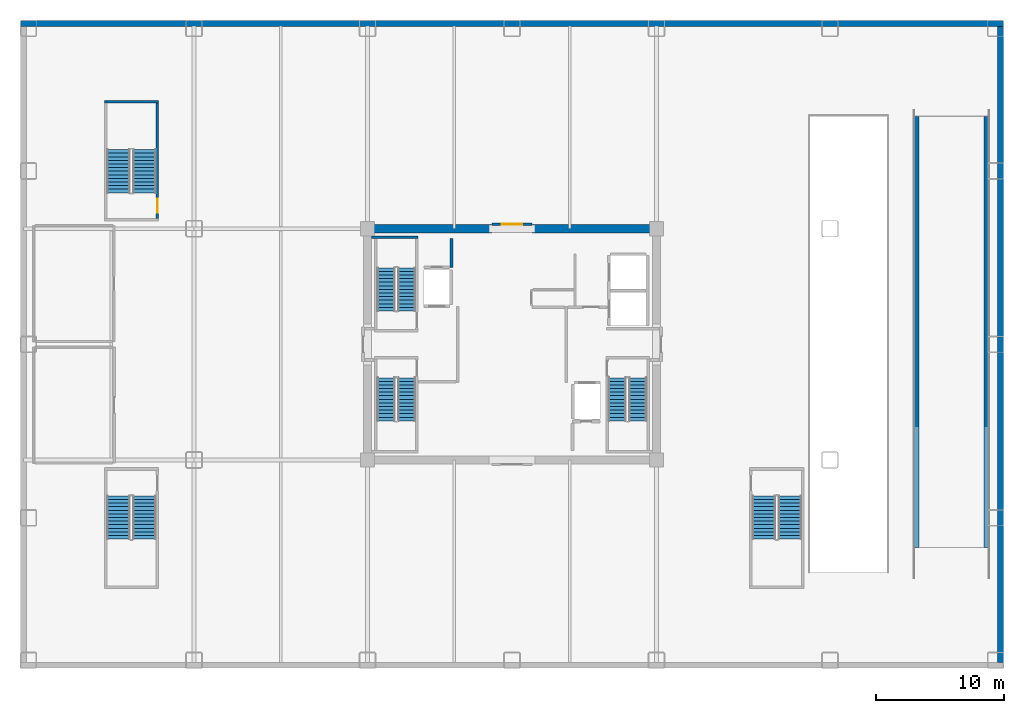
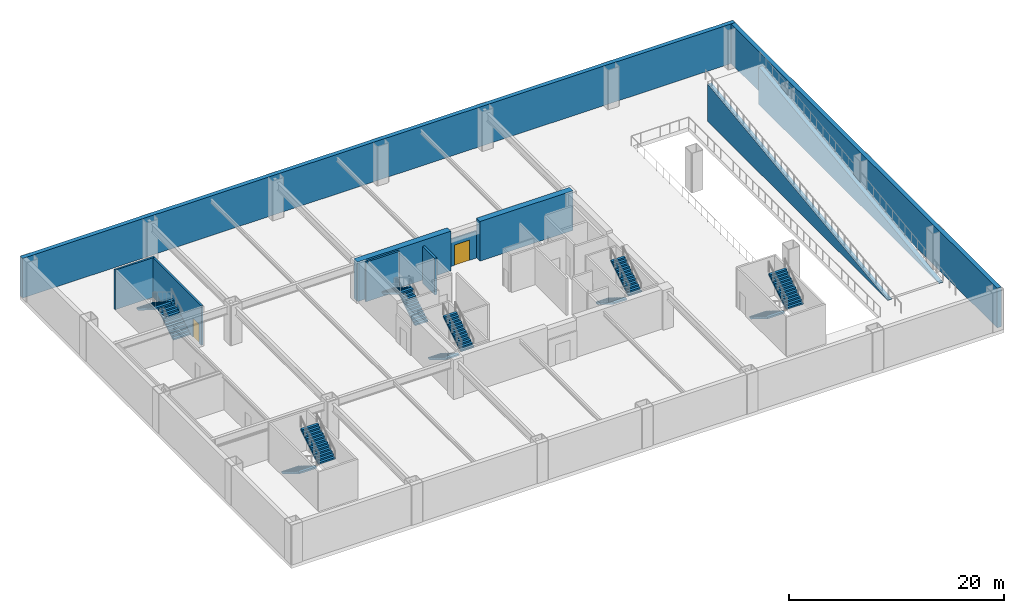
# One storey, part 5 of 9: 12 stair flights, 11 walls, 2 doors, 2 openings, 6 elements without a shape of their own.
"""IFC4 building model written with IfcOpenShell, lengths in metres."""

from ifc_helpers import new_model, si_unit, direction, frame, frame_2d, origin, place, context, subcontext, project, spatial, polyline, rectangle, outline, extrude, source, transform, mapped, material, layer, layer_set, type_object, element, fill, aggregate, save


model = new_model("IFC4")

# Units and contexts
model_context = context("Model", 3, precision=1e-05, world=origin(), true_north=direction((0.0, 1.0)))
body_context = subcontext(model_context, "Body", "Model", "MODEL_VIEW")
ifc_project = project(units=[si_unit("LENGTHUNIT", "METRE"), si_unit("AREAUNIT", "SQUARE_METRE"), si_unit("VOLUMEUNIT", "CUBIC_METRE"), si_unit("PLANEANGLEUNIT", "RADIAN"), si_unit("MASSUNIT", "GRAM", prefix="KILO")], contexts=[model_context])

# Site, building, storey
site_placement = place(None, origin())
site = spatial("IfcSite", under=ifc_project, at=site_placement, CompositionType="ELEMENT")
building_placement = place(site_placement, origin())
building = spatial("IfcBuilding", under=site, at=building_placement, Name="Nefas-Gora Pilgrimage Tower", CompositionType="ELEMENT")
storey_placement = place(building_placement, frame((0.0, 0.0, -4.5)))
storey = spatial("IfcBuildingStorey", under=building, at=storey_placement, Name="B01", CompositionType="ELEMENT", Elevation=-4.5)

# Walls
ifc_material_1 = material(Name="Concrete C45/55", Category="concrete")
ifc_layer_1 = layer(ifc_material_1, 0.449951171875)
ifc_layer_set_1 = layer_set([ifc_layer_1], Name="Concrete C45/55")
wall_type_1 = type_object("IfcWallType", Name="SW-RAMP-450", PredefinedType="SOLIDWALL", material=ifc_layer_set_1)
for number, where, z_axis, x_axis, name in (
    (1, (31.449951171875, -15.800048828125, 0.0), (0.0, 0.0, 1.0), (0.0, 1.0, 0.0), "B01-L00 Vehicle Ramp Support Cheek Wall W"),
    (2, (36.949951171875, -15.800048828125, 0.0), (0.0, 0.0, 1.0), (0.0, 1.0, 0.0), "B01-L00 Vehicle Ramp Support Cheek Wall E"),
):
    element("IfcWall", number, at=place(storey_placement, frame(where, z_axis=z_axis, x_axis=x_axis)), inside=storey, type_object=wall_type_1, Name=name, PredefinedType="SOLIDWALL", context=body_context, shape_type="SweptSolid", body=[
        extrude(outline(polyline([(0.0, 0.0), (33.530029296875, 0.0), (33.530029296875, 4.25), (0.0, 0.02001953125), (0.0, 0.0)])), frame((0.0, 0.22509765625, 0.0), z_axis=(0.0, -1.0, 0.0), x_axis=(1.0, 0.0, 0.0)), (0.0, 0.0, 1.0), 0.449951171875),
    ])
ifc_material_2 = material(Name="Concrete C60/75", Category="concrete")
ifc_layer_2 = layer(ifc_material_2, 0.64990234375)
ifc_layer_set_2 = layer_set([ifc_layer_2], Name="Concrete C60/75")
wall_type_2 = type_object("IfcWallType", Name="SW-CORE-650", PredefinedType="SHEAR", material=ifc_layer_set_2)
shared_shape_1 = source(origin(), body_context, "Body", "SweptSolid", [
    extrude(rectangle(XDim=10.02490234375, YDim=0.64990234375, at=frame_2d((5.012451171875, 0.0))), origin(), (0.0, 0.0, 1.0), 4.5),
])
for number, where, z_axis, x_axis, name in (
    (3, (-11.574951171875, 9.0, 0.0), (0.0, 0.0, 1.0), (1.0, 0.0, 0.0), "B01 Core Shear Wall N-West"),
    (4, (1.550048828125, 9.0, 0.0), (0.0, 0.0, 1.0), (1.0, 0.0, 0.0), "B01 Core Shear Wall N-East"),
):
    element("IfcWall", number, at=place(storey_placement, frame(where, z_axis=z_axis, x_axis=x_axis)), inside=storey, type_object=wall_type_2, Name=name, PredefinedType="SHEAR", context=body_context, shape_type="MappedRepresentation", body=[
        mapped(shared_shape_1, transform((0.0, 0.0, 0.0), x_axis=(1.0, 0.0, 0.0), y_axis=(0.0, 1.0, 0.0), z_axis=(0.0, 0.0, 1.0), scale=1.0)),
    ])
ifc_material_3 = material(Name="Concrete C50/60", Category="concrete")
ifc_layer_3 = layer(ifc_material_3, 0.449951171875)
ifc_layer_set_3 = layer_set([ifc_layer_3], Name="Concrete C50/60")
wall_type_3 = type_object("IfcWallType", Name="RW-BSMT-450", PredefinedType="SOLIDWALL", material=ifc_layer_set_3)
shared_shape_2 = source(origin(), body_context, "Body", "SweptSolid", [
    extrude(rectangle(XDim=76.5, YDim=0.449951171875, at=frame_2d((38.25, 0.0))), origin(), (0.0, 0.0, 1.0), 4.5),
])
wall_1_placement = place(storey_placement, frame((-38.25, 24.97509765625, 0.0), z_axis=(0.0, 0.0, 1.0), x_axis=(1.0, 0.0, 0.0)))
element("IfcWall", 5, at=wall_1_placement, inside=storey, type_object=wall_type_3, Name="B01 North Retaining Wall", PredefinedType="SOLIDWALL", context=body_context, shape_type="MappedRepresentation", body=[
    mapped(shared_shape_2, transform((0.0, 0.0, 0.0), x_axis=(1.0, 0.0, 0.0), y_axis=(0.0, 1.0, 0.0), z_axis=(0.0, 0.0, 1.0), scale=1.0)),
])
shared_shape_3 = source(origin(), body_context, "Body", "SweptSolid", [
    extrude(rectangle(XDim=49.5, YDim=0.449951171875, at=frame_2d((24.75, 0.0))), origin(), (0.0, 0.0, 1.0), 4.5),
])
wall_2_placement = place(storey_placement, frame((38.02490234375, -24.75, 0.0), z_axis=(0.0, 0.0, 1.0), x_axis=(0.0, 1.0, 0.0)))
element("IfcWall", 6, at=wall_2_placement, inside=storey, type_object=wall_type_3, Name="B01 East Retaining Wall", PredefinedType="SOLIDWALL", context=body_context, shape_type="MappedRepresentation", body=[
    mapped(shared_shape_3, transform((0.0, 0.0, 0.0), x_axis=(1.0, 0.0, 0.0), y_axis=(0.0, 1.0, 0.0), z_axis=(0.0, 0.0, 1.0), scale=1.0)),
])
ifc_layer_4 = layer(ifc_material_1, 0.199951171875)
ifc_layer_set_4 = layer_set([ifc_layer_4], Name="Concrete C45/55")
wall_type_4 = type_object("IfcWallType", Name="IW-STAIR-200", PredefinedType="SOLIDWALL", material=ifc_layer_set_4)
shared_shape_4 = source(origin(), body_context, "Body", "SweptSolid", [
    extrude(rectangle(XDim=3.6298828125, YDim=0.199951171875, at=frame_2d((1.81494140625, 0.0))), origin(), (0.0, 0.0, 1.0), 4.5),
])
wall_3_placement = place(storey_placement, frame((-7.300048828125, 8.35009765625, 0.0), z_axis=(0.0, 0.0, 1.0), x_axis=(-1.0, 0.0, 0.0)))
element("IfcWall", 7, at=wall_3_placement, inside=storey, type_object=wall_type_4, Name="B01 Stairwell Shear Wall ST-01-far", PredefinedType="SOLIDWALL", context=body_context, shape_type="MappedRepresentation", body=[
    mapped(shared_shape_4, transform((0.0, 0.0, 0.0), x_axis=(1.0, 0.0, 0.0), y_axis=(0.0, 1.0, 0.0), z_axis=(0.0, 0.0, 1.0), scale=1.0)),
])
shared_shape_5 = source(origin(), body_context, "Body", "SweptSolid", [
    extrude(rectangle(XDim=4.239990234375, YDim=0.199951171875, at=frame_2d((2.1201171875, 0.0))), origin(), (0.0, 0.0, 1.0), 4.5),
])
wall_4_placement = place(storey_placement, frame((-27.5, 18.89990234375, 0.0), z_axis=(0.0, 0.0, 1.0), x_axis=(-1.0, 0.0, 0.0)))
element("IfcWall", 8, at=wall_4_placement, inside=storey, type_object=wall_type_4, Name="B01 Stairwell Shear Wall ST-04-far", PredefinedType="SOLIDWALL", context=body_context, shape_type="MappedRepresentation", body=[
    mapped(shared_shape_5, transform((0.0, 0.0, 0.0), x_axis=(1.0, 0.0, 0.0), y_axis=(0.0, 1.0, 0.0), z_axis=(0.0, 0.0, 1.0), scale=1.0)),
])

# Wall, opening, door
shared_shape_6 = source(origin(), body_context, "Body", "SweptSolid", [
    extrude(rectangle(XDim=9.0, YDim=0.199951171875, at=frame_2d((4.5, 0.0))), origin(), (0.0, 0.0, 1.0), 4.5),
])
wall_5_placement = place(storey_placement, frame((-27.60009765625, 9.800048828125, 0.0), z_axis=(0.0, 0.0, 1.0), x_axis=(0.0, 1.0, 0.0)))
wall_5 = element("IfcWall", 9, at=wall_5_placement, inside=storey, type_object=wall_type_4, Name="B01 Stairwell Shear Wall ST-04-left", PredefinedType="SOLIDWALL", context=body_context, shape_type="MappedRepresentation", body=[
    mapped(shared_shape_6, transform((0.0, 0.0, 0.0), x_axis=(1.0, 0.0, 0.0), y_axis=(0.0, 1.0, 0.0), z_axis=(0.0, 0.0, 1.0), scale=1.0)),
])
opening_1_placement = place(wall_5_placement, frame((0.449951171875, 0.0, 0.0)))
opening_1 = element("IfcOpeningElement", 10, at=opening_1_placement, cuts=wall_5, Name="Opening ID-ST1", PredefinedType="OPENING", context=body_context, shape_type="SweptSolid", body=[
    extrude(rectangle(XDim=1.10009765625, YDim=2.14990234375, at=frame_2d((0.550048828125, 1.074951171875))), frame((0.0, 0.10986328125, 0.0), z_axis=(0.0, -1.0, 0.0), x_axis=(1.0, 0.0, 0.0)), (0.0, 0.0, 1.0), 0.219970703125),
])
ifc_material_4 = material(Name="Painted galvanised steel fire stair door", Category="steel")
door_type_1 = type_object("IfcDoorType", Name="DR-INT-STAIR-1100", OperationType="NOTDEFINED", PredefinedType="DOOR", material=ifc_material_4)
shared_shape_7 = source(origin(), body_context, "Body", "SweptSolid", [
    extrude(rectangle(XDim=1.10009765625, YDim=2.14990234375, at=frame_2d((0.550048828125, 1.074951171875))), frame((0.0, 0.02490234375, 0.0), z_axis=(0.0, -1.0, 0.0), x_axis=(1.0, 0.0, 0.0)), (0.0, 0.0, 1.0), 0.050048828125),
])
door_1_placement = place(opening_1_placement, origin())
door_1 = element("IfcDoor", 11, at=door_1_placement, inside=storey, type_object=door_type_1, Name="B01 Protected Exit Stair Door ST-04", OperationType="SINGLE_SWING_LEFT", OverallHeight=2.14990234375, OverallWidth=1.10009765625, PredefinedType="DOOR", context=body_context, shape_type="MappedRepresentation", body=[
    mapped(shared_shape_7, transform((0.0, 0.0, 0.0), x_axis=(1.0, 0.0, 0.0), y_axis=(0.0, 1.0, 0.0), z_axis=(0.0, 0.0, 1.0), scale=1.0)),
])
fill(opening_1, door_1)

# Wall
ifc_material_5 = material(Name="Concrete C40/50", Category="concrete")
ifc_layer_5 = layer(ifc_material_5, 0.219970703125)
ifc_layer_set_5 = layer_set([ifc_layer_5], Name="Concrete C40/50")
wall_type_5 = type_object("IfcWallType", Name="IW-SHAFT-220", PredefinedType="SOLIDWALL", material=ifc_layer_set_5)
shared_shape_8 = source(origin(), body_context, "Body", "SweptSolid", [
    extrude(rectangle(XDim=2.25, YDim=0.219970703125, at=frame_2d((1.125, 0.0))), origin(), (0.0, 0.0, 1.0), 4.18505859375),
])
wall_6_placement = place(storey_placement, frame((-4.719970703125, 6.0, 0.0), z_axis=(0.0, 0.0, 1.0), x_axis=(0.0, 1.0, 0.0)))
element("IfcWall", 12, at=wall_6_placement, inside=storey, type_object=wall_type_5, Name="B01 Riser Shaft Wall 1", PredefinedType="SOLIDWALL", context=body_context, shape_type="MappedRepresentation", body=[
    mapped(shared_shape_8, transform((0.0, 0.0, 0.0), x_axis=(1.0, 0.0, 0.0), y_axis=(0.0, 1.0, 0.0), z_axis=(0.0, 0.0, 1.0), scale=1.0)),
])

# Wall, opening, door
ifc_material_6 = material(Name="Gypsum acoustic stud partition")
ifc_layer_6 = layer(ifc_material_6, 0.159912109375)
ifc_layer_set_6 = layer_set([ifc_layer_6], Name="Gypsum acoustic stud partition")
wall_type_6 = type_object("IfcWallType", Name="IW-CORR-160", PredefinedType="PARTITIONING", material=ifc_layer_set_6)
shared_shape_9 = source(origin(), body_context, "Body", "SweptSolid", [
    extrude(rectangle(XDim=3.08984375, YDim=0.159912109375, at=frame_2d((1.544921875, 0.0))), origin(), (0.0, 0.0, 1.0), 3.074951171875),
])
wall_7_placement = place(storey_placement, frame((-1.544921875, 9.35009765625, 0.0), z_axis=(0.0, 0.0, 1.0), x_axis=(1.0, 0.0, 0.0)))
wall_7 = element("IfcWall", 13, at=wall_7_placement, inside=storey, type_object=wall_type_6, Name="B01 Central Lift Lobby North Portal Wall 16", PredefinedType="PARTITIONING", context=body_context, shape_type="MappedRepresentation", body=[
    mapped(shared_shape_9, transform((0.0, 0.0, 0.0), x_axis=(1.0, 0.0, 0.0), y_axis=(0.0, 1.0, 0.0), z_axis=(0.0, 0.0, 1.0), scale=1.0)),
])
opening_2_placement = place(wall_7_placement, frame((0.7451171875, 0.0, 0.0)))
opening_2 = element("IfcOpeningElement", 14, at=opening_2_placement, cuts=wall_7, Name="Opening ID-HL1", PredefinedType="OPENING", context=body_context, shape_type="SweptSolid", body=[
    extrude(rectangle(XDim=1.60009765625, YDim=2.300048828125, at=frame_2d((0.800048828125, 1.14990234375))), frame((0.0, 0.08984375, 0.0), z_axis=(0.0, -1.0, 0.0), x_axis=(1.0, 0.0, 0.0)), (0.0, 0.0, 1.0), 0.179931640625),
])
ifc_material_7 = material(Name="Double acoustic timber assembly hall door", Category="wood")
door_type_2 = type_object("IfcDoorType", Name="DR-INT-HALL-1600", OperationType="DOUBLE_DOOR_SINGLE_SWING", PredefinedType="DOOR", material=ifc_material_7)
shared_shape_10 = source(origin(), body_context, "Body", "SweptSolid", [
    extrude(rectangle(XDim=1.60009765625, YDim=2.300048828125, at=frame_2d((0.800048828125, 1.14990234375))), frame((0.0, 0.02490234375, 0.0), z_axis=(0.0, -1.0, 0.0), x_axis=(1.0, 0.0, 0.0)), (0.0, 0.0, 1.0), 0.050048828125),
])
door_2_placement = place(opening_2_placement, origin())
door_2 = element("IfcDoor", 15, at=door_2_placement, inside=storey, type_object=door_type_2, Name="B01 Central Lift Lobby North Portal Door 6", OperationType="DOUBLE_DOOR_SINGLE_SWING", OverallHeight=2.300048828125, OverallWidth=1.60009765625, PredefinedType="DOOR", context=body_context, shape_type="MappedRepresentation", body=[
    mapped(shared_shape_10, transform((0.0, 0.0, 0.0), x_axis=(1.0, 0.0, 0.0), y_axis=(0.0, 1.0, 0.0), z_axis=(0.0, 0.0, 1.0), scale=1.0)),
])
fill(opening_2, door_2)

# Stair, stair flights
stair_type_1 = type_object("IfcStairType", Name="STR-1400-R1731", PredefinedType="HALF_TURN_STAIR", material=ifc_material_1)
stair_1_placement = place(storey_placement, origin())
stair_1 = element("IfcStair", 16, at=stair_1_placement, inside=storey, type_object=stair_type_1, Name="B01 Pressurised Tower Exit Stair ST-01", PredefinedType="HALF_TURN_STAIR")
stair_flight_type_1 = type_object("IfcStairFlightType", Name="STF-1400-R1731", PredefinedType="STRAIGHT", material=ifc_material_1)
shared_shape_11 = source(origin(), body_context, "Body", "SweptSolid", [
    extrude(outline(polyline([(0.0, 0.0), (0.0, 0.173095703125), (0.280029296875, 0.173095703125), (0.280029296875, 0.34619140625), (0.56005859375, 0.34619140625), (0.56005859375, 0.519287109375), (0.840087890625, 0.519287109375), (0.840087890625, 0.6923828125), (1.1201171875, 0.6923828125), (1.1201171875, 0.865478515625), (1.39990234375, 0.865478515625), (1.39990234375, 1.03857421875), (1.679931640625, 1.03857421875), (1.679931640625, 1.21142578125), (1.9599609375, 1.21142578125), (1.9599609375, 1.384521484375), (2.239990234375, 1.384521484375), (2.239990234375, 1.5576171875), (2.52001953125, 1.5576171875), (2.52001953125, 1.730712890625), (2.800048828125, 1.730712890625), (2.800048828125, 1.90380859375), (3.080078125, 1.90380859375), (3.080078125, 2.076904296875), (3.360107421875, 2.076904296875), (3.360107421875, 2.25), (3.360107421875, 1.900634765625), (0.28515625, 0.0), (0.0, 0.0)])), frame((0.0, 0.699951171875, 0.0), z_axis=(0.0, -1.0, 0.0), x_axis=(1.0, 0.0, 0.0)), (0.0, 0.0, 1.0), 1.39990234375),
])
stair_flight_1_placement = place(storey_placement, frame((-8.199951171875, 2.60009765625, 0.0), z_axis=(0.0, 0.0, 1.0), x_axis=(0.0, 1.0, 0.0)))
stair_flight_1 = element("IfcStairFlight", 17, at=stair_flight_1_placement, type_object=stair_flight_type_1, Name="ST-01 flight 1", NumberOfRisers=13, NumberOfTreads=12, PredefinedType="STRAIGHT", RiserHeight=0.173076923, TreadLength=0.28, context=body_context, shape_type="MappedRepresentation", body=[
    mapped(shared_shape_11, transform((0.0, 0.0, 0.0), x_axis=(1.0, 0.0, 0.0), y_axis=(0.0, 1.0, 0.0), z_axis=(0.0, 0.0, 1.0), scale=1.0)),
])
stair_flight_2_placement = place(storey_placement, frame((-9.800048828125, 5.9599609375, 2.25), z_axis=(0.0, 0.0, 1.0), x_axis=(0.0, -1.0, 0.0)))
stair_flight_2 = element("IfcStairFlight", 18, at=stair_flight_2_placement, type_object=stair_flight_type_1, Name="ST-01 flight 2", NumberOfRisers=13, NumberOfTreads=12, PredefinedType="STRAIGHT", RiserHeight=0.173076923, TreadLength=0.28, context=body_context, shape_type="MappedRepresentation", body=[
    mapped(shared_shape_11, transform((0.0, 0.0, 0.0), x_axis=(1.0, 0.0, 0.0), y_axis=(0.0, 1.0, 0.0), z_axis=(0.0, 0.0, 1.0), scale=1.0)),
])
aggregate(stair_1, [stair_flight_1, stair_flight_2])

stair_2_placement = place(storey_placement, origin())
stair_2 = element("IfcStair", 19, at=stair_2_placement, inside=storey, type_object=stair_type_1, Name="B01 Pressurised Tower Exit Stair ST-02", PredefinedType="HALF_TURN_STAIR")
stair_flight_3_placement = place(storey_placement, frame((8.199951171875, -2.60009765625, 0.0), z_axis=(0.0, 0.0, 1.0), x_axis=(0.0, -1.0, 0.0)))
stair_flight_3 = element("IfcStairFlight", 20, at=stair_flight_3_placement, type_object=stair_flight_type_1, Name="ST-02 flight 1", NumberOfRisers=13, NumberOfTreads=12, PredefinedType="STRAIGHT", RiserHeight=0.173076923, TreadLength=0.28, context=body_context, shape_type="MappedRepresentation", body=[
    mapped(shared_shape_11, transform((0.0, 0.0, 0.0), x_axis=(1.0, 0.0, 0.0), y_axis=(0.0, 1.0, 0.0), z_axis=(0.0, 0.0, 1.0), scale=1.0)),
])
stair_flight_4_placement = place(storey_placement, frame((9.800048828125, -5.9599609375, 2.25), z_axis=(0.0, 0.0, 1.0), x_axis=(0.0, 1.0, 0.0)))
stair_flight_4 = element("IfcStairFlight", 21, at=stair_flight_4_placement, type_object=stair_flight_type_1, Name="ST-02 flight 2", NumberOfRisers=13, NumberOfTreads=12, PredefinedType="STRAIGHT", RiserHeight=0.173076923, TreadLength=0.28, context=body_context, shape_type="MappedRepresentation", body=[
    mapped(shared_shape_11, transform((0.0, 0.0, 0.0), x_axis=(1.0, 0.0, 0.0), y_axis=(0.0, 1.0, 0.0), z_axis=(0.0, 0.0, 1.0), scale=1.0)),
])
aggregate(stair_2, [stair_flight_3, stair_flight_4])

stair_3_placement = place(storey_placement, origin())
stair_3 = element("IfcStair", 22, at=stair_3_placement, inside=storey, type_object=stair_type_1, Name="B01 Pressurised Tower Exit Stair ST-03", PredefinedType="HALF_TURN_STAIR")
stair_flight_5_placement = place(storey_placement, frame((-9.800048828125, -2.60009765625, 0.0), z_axis=(0.0, 0.0, 1.0), x_axis=(0.0, -1.0, 0.0)))
stair_flight_5 = element("IfcStairFlight", 23, at=stair_flight_5_placement, type_object=stair_flight_type_1, Name="ST-03 flight 1", NumberOfRisers=13, NumberOfTreads=12, PredefinedType="STRAIGHT", RiserHeight=0.173076923, TreadLength=0.28, context=body_context, shape_type="MappedRepresentation", body=[
    mapped(shared_shape_11, transform((0.0, 0.0, 0.0), x_axis=(1.0, 0.0, 0.0), y_axis=(0.0, 1.0, 0.0), z_axis=(0.0, 0.0, 1.0), scale=1.0)),
])
stair_flight_6_placement = place(storey_placement, frame((-8.199951171875, -5.9599609375, 2.25), z_axis=(0.0, 0.0, 1.0), x_axis=(0.0, 1.0, 0.0)))
stair_flight_6 = element("IfcStairFlight", 24, at=stair_flight_6_placement, type_object=stair_flight_type_1, Name="ST-03 flight 2", NumberOfRisers=13, NumberOfTreads=12, PredefinedType="STRAIGHT", RiserHeight=0.173076923, TreadLength=0.28, context=body_context, shape_type="MappedRepresentation", body=[
    mapped(shared_shape_11, transform((0.0, 0.0, 0.0), x_axis=(1.0, 0.0, 0.0), y_axis=(0.0, 1.0, 0.0), z_axis=(0.0, 0.0, 1.0), scale=1.0)),
])
aggregate(stair_3, [stair_flight_5, stair_flight_6])

stair_type_2 = type_object("IfcStairType", Name="STR-1820-R1731", PredefinedType="HALF_TURN_STAIR", material=ifc_material_1)
stair_4_placement = place(storey_placement, origin())
stair_4 = element("IfcStair", 25, at=stair_4_placement, inside=storey, type_object=stair_type_2, Name="B01 Podium Exit Stair ST-04", PredefinedType="HALF_TURN_STAIR")
stair_flight_type_2 = type_object("IfcStairFlightType", Name="STF-1820-R1731", PredefinedType="STRAIGHT", material=ifc_material_1)
shared_shape_12 = source(origin(), body_context, "Body", "SweptSolid", [
    extrude(outline(polyline([(0.0, 0.0), (0.0, 0.173095703125), (0.280029296875, 0.173095703125), (0.280029296875, 0.34619140625), (0.56005859375, 0.34619140625), (0.56005859375, 0.519287109375), (0.840087890625, 0.519287109375), (0.840087890625, 0.6923828125), (1.1201171875, 0.6923828125), (1.1201171875, 0.865478515625), (1.39990234375, 0.865478515625), (1.39990234375, 1.03857421875), (1.679931640625, 1.03857421875), (1.679931640625, 1.21142578125), (1.9599609375, 1.21142578125), (1.9599609375, 1.384521484375), (2.239990234375, 1.384521484375), (2.239990234375, 1.5576171875), (2.52001953125, 1.5576171875), (2.52001953125, 1.730712890625), (2.800048828125, 1.730712890625), (2.800048828125, 1.90380859375), (3.080078125, 1.90380859375), (3.080078125, 2.076904296875), (3.360107421875, 2.076904296875), (3.360107421875, 2.25), (3.360107421875, 1.900634765625), (0.28515625, 0.0), (0.0, 0.0)])), frame((0.0, 0.91015625, 0.0), z_axis=(0.0, -1.0, 0.0), x_axis=(1.0, 0.0, 0.0)), (0.0, 0.0, 1.0), 1.820068359375),
])
stair_flight_7_placement = place(storey_placement, frame((-28.610107421875, 11.800048828125, 0.0), z_axis=(0.0, 0.0, 1.0), x_axis=(0.0, 1.0, 0.0)))
stair_flight_7 = element("IfcStairFlight", 26, at=stair_flight_7_placement, type_object=stair_flight_type_2, Name="ST-04 flight 1", NumberOfRisers=13, NumberOfTreads=12, PredefinedType="STRAIGHT", RiserHeight=0.173076923, TreadLength=0.28, context=body_context, shape_type="MappedRepresentation", body=[
    mapped(shared_shape_12, transform((0.0, 0.0, 0.0), x_axis=(1.0, 0.0, 0.0), y_axis=(0.0, 1.0, 0.0), z_axis=(0.0, 0.0, 1.0), scale=1.0)),
])
stair_flight_8_placement = place(storey_placement, frame((-30.6298828125, 15.159912109375, 2.25), z_axis=(0.0, 0.0, 1.0), x_axis=(0.0, -1.0, 0.0)))
stair_flight_8 = element("IfcStairFlight", 27, at=stair_flight_8_placement, type_object=stair_flight_type_2, Name="ST-04 flight 2", NumberOfRisers=13, NumberOfTreads=12, PredefinedType="STRAIGHT", RiserHeight=0.173076923, TreadLength=0.28, context=body_context, shape_type="MappedRepresentation", body=[
    mapped(shared_shape_12, transform((0.0, 0.0, 0.0), x_axis=(1.0, 0.0, 0.0), y_axis=(0.0, 1.0, 0.0), z_axis=(0.0, 0.0, 1.0), scale=1.0)),
])
aggregate(stair_4, [stair_flight_7, stair_flight_8])

stair_5_placement = place(storey_placement, origin())
stair_5 = element("IfcStair", 28, at=stair_5_placement, inside=storey, type_object=stair_type_2, Name="B01 Podium Exit Stair ST-05", PredefinedType="HALF_TURN_STAIR")
stair_flight_9_placement = place(storey_placement, frame((-30.6298828125, -11.800048828125, 0.0), z_axis=(0.0, 0.0, 1.0), x_axis=(0.0, -1.0, 0.0)))
stair_flight_9 = element("IfcStairFlight", 29, at=stair_flight_9_placement, type_object=stair_flight_type_2, Name="ST-05 flight 1", NumberOfRisers=13, NumberOfTreads=12, PredefinedType="STRAIGHT", RiserHeight=0.173076923, TreadLength=0.28, context=body_context, shape_type="MappedRepresentation", body=[
    mapped(shared_shape_12, transform((0.0, 0.0, 0.0), x_axis=(1.0, 0.0, 0.0), y_axis=(0.0, 1.0, 0.0), z_axis=(0.0, 0.0, 1.0), scale=1.0)),
])
stair_flight_10_placement = place(storey_placement, frame((-28.610107421875, -15.159912109375, 2.25), z_axis=(0.0, 0.0, 1.0), x_axis=(0.0, 1.0, 0.0)))
stair_flight_10 = element("IfcStairFlight", 30, at=stair_flight_10_placement, type_object=stair_flight_type_2, Name="ST-05 flight 2", NumberOfRisers=13, NumberOfTreads=12, PredefinedType="STRAIGHT", RiserHeight=0.173076923, TreadLength=0.28, context=body_context, shape_type="MappedRepresentation", body=[
    mapped(shared_shape_12, transform((0.0, 0.0, 0.0), x_axis=(1.0, 0.0, 0.0), y_axis=(0.0, 1.0, 0.0), z_axis=(0.0, 0.0, 1.0), scale=1.0)),
])
aggregate(stair_5, [stair_flight_9, stair_flight_10])

stair_6_placement = place(storey_placement, origin())
stair_6 = element("IfcStair", 31, at=stair_6_placement, inside=storey, type_object=stair_type_2, Name="B01 Podium Exit Stair ST-06", PredefinedType="HALF_TURN_STAIR")
stair_flight_11_placement = place(storey_placement, frame((19.610107421875, -11.800048828125, 0.0), z_axis=(0.0, 0.0, 1.0), x_axis=(0.0, -1.0, 0.0)))
stair_flight_11 = element("IfcStairFlight", 32, at=stair_flight_11_placement, type_object=stair_flight_type_2, Name="ST-06 flight 1", NumberOfRisers=13, NumberOfTreads=12, PredefinedType="STRAIGHT", RiserHeight=0.173076923, TreadLength=0.28, context=body_context, shape_type="MappedRepresentation", body=[
    mapped(shared_shape_12, transform((0.0, 0.0, 0.0), x_axis=(1.0, 0.0, 0.0), y_axis=(0.0, 1.0, 0.0), z_axis=(0.0, 0.0, 1.0), scale=1.0)),
])
stair_flight_12_placement = place(storey_placement, frame((21.6298828125, -15.159912109375, 2.25), z_axis=(0.0, 0.0, 1.0), x_axis=(0.0, 1.0, 0.0)))
stair_flight_12 = element("IfcStairFlight", 33, at=stair_flight_12_placement, type_object=stair_flight_type_2, Name="ST-06 flight 2", NumberOfRisers=13, NumberOfTreads=12, PredefinedType="STRAIGHT", RiserHeight=0.173076923, TreadLength=0.28, context=body_context, shape_type="MappedRepresentation", body=[
    mapped(shared_shape_12, transform((0.0, 0.0, 0.0), x_axis=(1.0, 0.0, 0.0), y_axis=(0.0, 1.0, 0.0), z_axis=(0.0, 0.0, 1.0), scale=1.0)),
])
aggregate(stair_6, [stair_flight_11, stair_flight_12])

save(model, "model.ifc")
